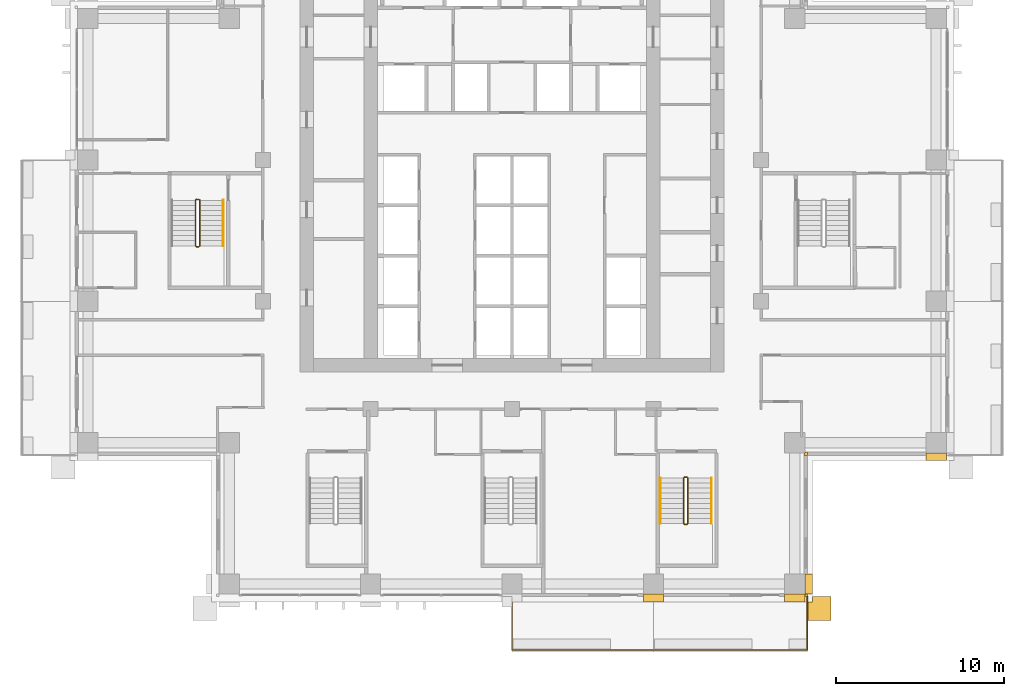
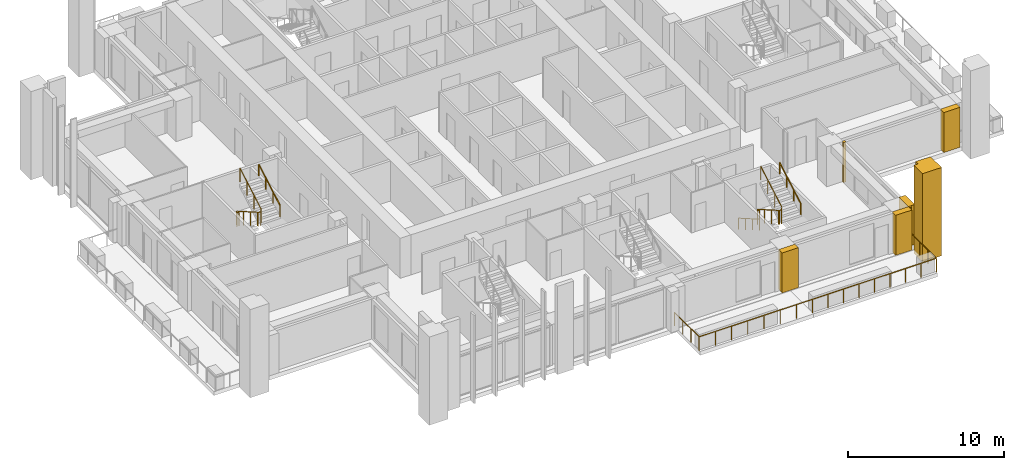
# One storey, part 16 of 19: 7 coverings, 7 railings.
"""IFC4 building model written with IfcOpenShell, lengths in metres."""

from ifc_helpers import new_model, si_unit, direction, frame, origin, origin_2d, place, context, subcontext, project, spatial, polyline, rectangle, outline, extrude, material, type_object, element, save


model = new_model("IFC4")

# Units and contexts
model_context = context("Model", 3, precision=1e-05, world=origin(), true_north=direction((0.0, 1.0)))
body_context = subcontext(model_context, "Body", "Model", "MODEL_VIEW")
ifc_project = project(units=[si_unit("LENGTHUNIT", "METRE"), si_unit("AREAUNIT", "SQUARE_METRE"), si_unit("VOLUMEUNIT", "CUBIC_METRE"), si_unit("PLANEANGLEUNIT", "RADIAN"), si_unit("MASSUNIT", "GRAM", prefix="KILO")], contexts=[model_context])

# Site, building, storey
site_placement = place(None, origin())
site = spatial("IfcSite", under=ifc_project, at=site_placement, CompositionType="ELEMENT")
building_placement = place(site_placement, origin())
building = spatial("IfcBuilding", under=site, at=building_placement, Name="Vermilion Ogive Tower", CompositionType="ELEMENT")
storey_placement = place(building_placement, frame((0.0, 0.0, 104.550048828125)))
storey = spatial("IfcBuildingStorey", under=building, at=storey_placement, Name="L26", CompositionType="ELEMENT", Elevation=104.550048828125)

# Railings
ifc_material_1 = material(Name="Stainless steel and glass", Category="steel")
railing_type_1 = type_object("IfcRailingType", Name="Balcony guard", PredefinedType="GUARDRAIL", material=ifc_material_1)
railing_1_placement = place(storey_placement, frame((0.0, -21.75, -0.0400390625)))
element("IfcRailing", 1, at=railing_1_placement, inside=storey, type_object=railing_type_1, Name="Guard S03", PredefinedType="GUARDRAIL", context=body_context, shape_type="SweptSolid", body=[
    extrude(rectangle(XDim=0.048095703125, YDim=0.048095703125, at=origin_2d()), frame((0.0, 0.0, 1.076171875), z_axis=(0.0, -1.0, 0.0), x_axis=(1.0, 0.0, 0.0)), (0.0, 0.0, 1.0), 3.159912109375),
    extrude(rectangle(XDim=0.048095703125, YDim=0.048095703125, at=origin_2d()), frame((0.0, -3.159912109375, 1.076171875), z_axis=(1.0, 0.0, 0.0), x_axis=(0.0, 1.0, 0.0)), (0.0, 0.0, 1.0), 8.39990234375),
    extrude(rectangle(XDim=0.0419921875, YDim=0.0419921875, at=origin_2d()), origin(), (0.0, 0.0, 1.0), 1.052001953125),
    extrude(rectangle(XDim=0.0419921875, YDim=0.0419921875, at=origin_2d()), frame((0.0, -1.05322265625, 0.0)), (0.0, 0.0, 1.0), 1.052001953125),
    extrude(rectangle(XDim=0.0419921875, YDim=0.0419921875, at=origin_2d()), frame((0.0, -2.106689453125, 0.0)), (0.0, 0.0, 1.0), 1.052001953125),
    extrude(rectangle(XDim=0.0419921875, YDim=0.0419921875, at=origin_2d()), frame((0.0, -3.159912109375, 0.0)), (0.0, 0.0, 1.0), 1.052001953125),
    extrude(rectangle(XDim=0.0419921875, YDim=0.0419921875, at=origin_2d()), frame((1.199951171875, -3.159912109375, 0.0)), (0.0, 0.0, 1.0), 1.052001953125),
    extrude(rectangle(XDim=0.0419921875, YDim=0.0419921875, at=origin_2d()), frame((2.39990234375, -3.159912109375, 0.0)), (0.0, 0.0, 1.0), 1.052001953125),
    extrude(rectangle(XDim=0.0419921875, YDim=0.0419921875, at=origin_2d()), frame((3.599853515625, -3.159912109375, 0.0)), (0.0, 0.0, 1.0), 1.052001953125),
    extrude(rectangle(XDim=0.0419921875, YDim=0.0419921875, at=origin_2d()), frame((4.800048828125, -3.159912109375, 0.0)), (0.0, 0.0, 1.0), 1.052001953125),
    extrude(rectangle(XDim=0.0419921875, YDim=0.0419921875, at=origin_2d()), frame((6.0, -3.159912109375, 0.0)), (0.0, 0.0, 1.0), 1.052001953125),
    extrude(rectangle(XDim=0.0419921875, YDim=0.0419921875, at=origin_2d()), frame((7.199951171875, -3.159912109375, 0.0)), (0.0, 0.0, 1.0), 1.052001953125),
    extrude(rectangle(XDim=0.0419921875, YDim=0.0419921875, at=origin_2d()), frame((8.39990234375, -3.159912109375, 0.0)), (0.0, 0.0, 1.0), 1.052001953125),
])
railing_2_placement = place(storey_placement, frame((8.39990234375, -24.909912109375, -0.0400390625)))
element("IfcRailing", 2, at=railing_2_placement, inside=storey, type_object=railing_type_1, Name="Guard S04", PredefinedType="GUARDRAIL", context=body_context, shape_type="SweptSolid", body=[
    extrude(rectangle(XDim=0.048095703125, YDim=0.048095703125, at=origin_2d()), frame((0.0, 0.0, 1.076171875), z_axis=(1.0, 0.0, 0.0), x_axis=(0.0, 1.0, 0.0)), (0.0, 0.0, 1.0), 9.150146484375),
    extrude(rectangle(XDim=0.048095703125, YDim=0.048095703125, at=origin_2d()), frame((9.150146484375, 0.0, 1.076171875), z_axis=(0.0, 1.0, 0.0), x_axis=(-1.0, 0.0, 0.0)), (0.0, 0.0, 1.0), 3.159912109375),
    extrude(rectangle(XDim=0.0419921875, YDim=0.0419921875, at=origin_2d()), origin(), (0.0, 0.0, 1.0), 1.052001953125),
    extrude(rectangle(XDim=0.0419921875, YDim=0.0419921875, at=origin_2d()), frame((1.143798828125, 0.0, 0.0)), (0.0, 0.0, 1.0), 1.052001953125),
    extrude(rectangle(XDim=0.0419921875, YDim=0.0419921875, at=origin_2d()), frame((2.28759765625, 0.0, 0.0)), (0.0, 0.0, 1.0), 1.052001953125),
    extrude(rectangle(XDim=0.0419921875, YDim=0.0419921875, at=origin_2d()), frame((3.431396484375, 0.0, 0.0)), (0.0, 0.0, 1.0), 1.052001953125),
    extrude(rectangle(XDim=0.0419921875, YDim=0.0419921875, at=origin_2d()), frame((4.5751953125, 0.0, 0.0)), (0.0, 0.0, 1.0), 1.052001953125),
    extrude(rectangle(XDim=0.0419921875, YDim=0.0419921875, at=origin_2d()), frame((5.71875, 0.0, 0.0)), (0.0, 0.0, 1.0), 1.052001953125),
    extrude(rectangle(XDim=0.0419921875, YDim=0.0419921875, at=origin_2d()), frame((6.862548828125, 0.0, 0.0)), (0.0, 0.0, 1.0), 1.052001953125),
    extrude(rectangle(XDim=0.0419921875, YDim=0.0419921875, at=origin_2d()), frame((8.00634765625, 0.0, 0.0)), (0.0, 0.0, 1.0), 1.052001953125),
    extrude(rectangle(XDim=0.0419921875, YDim=0.0419921875, at=origin_2d()), frame((9.150146484375, 0.0, 0.0)), (0.0, 0.0, 1.0), 1.052001953125),
    extrude(rectangle(XDim=0.0419921875, YDim=0.0419921875, at=origin_2d()), frame((9.150146484375, 1.05322265625, 0.0)), (0.0, 0.0, 1.0), 1.052001953125),
    extrude(rectangle(XDim=0.0419921875, YDim=0.0419921875, at=origin_2d()), frame((9.150146484375, 2.106689453125, 0.0)), (0.0, 0.0, 1.0), 1.052001953125),
    extrude(rectangle(XDim=0.0419921875, YDim=0.0419921875, at=origin_2d()), frame((9.150146484375, 3.159912109375, 0.0)), (0.0, 0.0, 1.0), 1.052001953125),
])
ifc_material_2 = material(Name="Steel S355 painted", Category="steel")
railing_type_2 = type_object("IfcRailingType", Name="Stair guard 1100", PredefinedType="GUARDRAIL", material=ifc_material_2)
railing_3_placement = place(storey_placement, frame((10.39990234375, -14.64990234375, 0.0)))
element("IfcRailing", 3, at=railing_3_placement, inside=storey, type_object=railing_type_2, Name="L26 ST5 stair guard 4", PredefinedType="GUARDRAIL", context=body_context, shape_type="SweptSolid", body=[
    extrude(rectangle(XDim=0.048095703125, YDim=0.048095703125, at=origin_2d()), frame((0.0, 0.0, 1.076171875), z_axis=(-1.0, 0.0, 0.0), x_axis=(0.0, -1.0, 0.0)), (0.0, 0.0, 1.0), 0.14990234375),
    extrude(rectangle(XDim=0.048095703125, YDim=0.048095703125, at=origin_2d()), frame((-0.14990234375, 0.0, 1.076171875), z_axis=(-0.268603158521, -0.268603158521, 0.925043072762), x_axis=(0.707106781187, -0.707106781187, 0.0)), (0.0, 0.0, 1.0), 0.186279296875),
    extrude(rectangle(XDim=0.048095703125, YDim=0.048095703125, at=origin_2d()), frame((-0.199951171875, -0.050048828125, 1.24853515625), z_axis=(0.0, -0.866903762492, 0.498475542607), x_axis=(1.0, 0.0, 0.0)), (0.0, 0.0, 1.0), 3.114501953125),
    extrude(rectangle(XDim=0.048095703125, YDim=0.048095703125, at=origin_2d()), frame((-0.199951171875, -2.75, 2.80078125), z_axis=(0.707106781187, -0.707106781187, 0.0), x_axis=(0.707106781187, 0.707106781187, 0.0)), (0.0, 0.0, 1.0), 0.07080078125),
    extrude(rectangle(XDim=0.048095703125, YDim=0.048095703125, at=origin_2d()), frame((-0.14990234375, -2.800048828125, 2.80078125), z_axis=(1.0, 0.0, 0.0), x_axis=(0.0, 1.0, 0.0)), (0.0, 0.0, 1.0), 0.14990234375),
    extrude(rectangle(XDim=0.048095703125, YDim=0.048095703125, at=origin_2d()), frame((0.0, -2.800048828125, 2.80078125), z_axis=(0.268277960024, 0.268277960024, 0.925231793839), x_axis=(-0.707106781187, 0.707106781187, 0.0)), (0.0, 0.0, 1.0), 0.1865234375),
    extrude(rectangle(XDim=0.048095703125, YDim=0.048095703125, at=origin_2d()), frame((0.050048828125, -2.75, 2.9736328125), z_axis=(0.0, 0.866903762492, 0.498475542607), x_axis=(-1.0, 0.0, 0.0)), (0.0, 0.0, 1.0), 3.114501953125),
    extrude(rectangle(XDim=0.0419921875, YDim=0.0419921875, at=origin_2d()), origin(), (0.0, 0.0, 1.0), 1.052001953125),
    extrude(rectangle(XDim=0.0419921875, YDim=0.0419921875, at=origin_2d()), frame((-0.14990234375, 0.0, 0.0)), (0.0, 0.0, 1.0), 1.052001953125),
    extrude(rectangle(XDim=0.0419921875, YDim=0.0419921875, at=origin_2d()), frame((-0.199951171875, -0.050048828125, 0.17236328125)), (0.0, 0.0, 1.0), 1.052001953125),
    extrude(rectangle(XDim=0.0419921875, YDim=0.0419921875, at=origin_2d()), frame((-0.199951171875, -0.949951171875, 0.68994140625)), (0.0, 0.0, 1.0), 1.052001953125),
    extrude(rectangle(XDim=0.0419921875, YDim=0.0419921875, at=origin_2d()), frame((-0.199951171875, -1.85009765625, 1.207275390625)), (0.0, 0.0, 1.0), 1.052001953125),
    extrude(rectangle(XDim=0.0419921875, YDim=0.0419921875, at=origin_2d()), frame((-0.199951171875, -2.75, 1.724853515625)), (0.0, 0.0, 1.0), 1.052001953125),
    extrude(rectangle(XDim=0.0419921875, YDim=0.0419921875, at=origin_2d()), frame((-0.14990234375, -2.800048828125, 1.724853515625)), (0.0, 0.0, 1.0), 1.052001953125),
    extrude(rectangle(XDim=0.0419921875, YDim=0.0419921875, at=origin_2d()), frame((0.0, -2.800048828125, 1.724853515625)), (0.0, 0.0, 1.0), 1.052001953125),
    extrude(rectangle(XDim=0.0419921875, YDim=0.0419921875, at=origin_2d()), frame((0.050048828125, -2.75, 1.8974609375)), (0.0, 0.0, 1.0), 1.052001953125),
    extrude(rectangle(XDim=0.0419921875, YDim=0.0419921875, at=origin_2d()), frame((0.050048828125, -1.85009765625, 2.4150390625)), (0.0, 0.0, 1.0), 1.052001953125),
    extrude(rectangle(XDim=0.0419921875, YDim=0.0419921875, at=origin_2d()), frame((0.050048828125, -0.949951171875, 2.932373046875)), (0.0, 0.0, 1.0), 1.052001953125),
    extrude(rectangle(XDim=0.0419921875, YDim=0.0419921875, at=origin_2d()), frame((0.050048828125, -0.050048828125, 3.449951171875)), (0.0, 0.0, 1.0), 1.052001953125),
])
railing_4_placement = place(storey_placement, frame((-18.60009765625, 1.85009765625, 0.0)))
element("IfcRailing", 4, at=railing_4_placement, inside=storey, type_object=railing_type_2, Name="L26 ST9 stair guard 4", PredefinedType="GUARDRAIL", context=body_context, shape_type="SweptSolid", body=[
    extrude(rectangle(XDim=0.048095703125, YDim=0.048095703125, at=origin_2d()), frame((0.0, 0.0, 1.076171875), z_axis=(-1.0, 0.0, 0.0), x_axis=(0.0, -1.0, 0.0)), (0.0, 0.0, 1.0), 0.14990234375),
    extrude(rectangle(XDim=0.048095703125, YDim=0.048095703125, at=origin_2d()), frame((-0.14990234375, 0.0, 1.076171875), z_axis=(-0.268603158521, -0.268603158521, 0.925043072762), x_axis=(0.707106781187, -0.707106781187, 0.0)), (0.0, 0.0, 1.0), 0.186279296875),
    extrude(rectangle(XDim=0.048095703125, YDim=0.048095703125, at=origin_2d()), frame((-0.199951171875, -0.050048828125, 1.24853515625), z_axis=(0.0, -0.866903762492, 0.498475542607), x_axis=(1.0, 0.0, 0.0)), (0.0, 0.0, 1.0), 3.114501953125),
    extrude(rectangle(XDim=0.048095703125, YDim=0.048095703125, at=origin_2d()), frame((-0.199951171875, -2.75, 2.80078125), z_axis=(0.707106781187, -0.707106781187, 0.0), x_axis=(0.707106781187, 0.707106781187, 0.0)), (0.0, 0.0, 1.0), 0.07080078125),
    extrude(rectangle(XDim=0.048095703125, YDim=0.048095703125, at=origin_2d()), frame((-0.14990234375, -2.800048828125, 2.80078125), z_axis=(1.0, 0.0, 0.0), x_axis=(0.0, 1.0, 0.0)), (0.0, 0.0, 1.0), 0.14990234375),
    extrude(rectangle(XDim=0.048095703125, YDim=0.048095703125, at=origin_2d()), frame((0.0, -2.800048828125, 2.80078125), z_axis=(0.268277960024, 0.268277960024, 0.925231793839), x_axis=(-0.707106781187, 0.707106781187, 0.0)), (0.0, 0.0, 1.0), 0.1865234375),
    extrude(rectangle(XDim=0.048095703125, YDim=0.048095703125, at=origin_2d()), frame((0.050048828125, -2.75, 2.9736328125), z_axis=(0.0, 0.866903762492, 0.498475542607), x_axis=(-1.0, 0.0, 0.0)), (0.0, 0.0, 1.0), 3.114501953125),
    extrude(rectangle(XDim=0.0419921875, YDim=0.0419921875, at=origin_2d()), origin(), (0.0, 0.0, 1.0), 1.052001953125),
    extrude(rectangle(XDim=0.0419921875, YDim=0.0419921875, at=origin_2d()), frame((-0.14990234375, 0.0, 0.0)), (0.0, 0.0, 1.0), 1.052001953125),
    extrude(rectangle(XDim=0.0419921875, YDim=0.0419921875, at=origin_2d()), frame((-0.199951171875, -0.050048828125, 0.17236328125)), (0.0, 0.0, 1.0), 1.052001953125),
    extrude(rectangle(XDim=0.0419921875, YDim=0.0419921875, at=origin_2d()), frame((-0.199951171875, -0.949951171875, 0.68994140625)), (0.0, 0.0, 1.0), 1.052001953125),
    extrude(rectangle(XDim=0.0419921875, YDim=0.0419921875, at=origin_2d()), frame((-0.199951171875, -1.85009765625, 1.207275390625)), (0.0, 0.0, 1.0), 1.052001953125),
    extrude(rectangle(XDim=0.0419921875, YDim=0.0419921875, at=origin_2d()), frame((-0.199951171875, -2.75, 1.724853515625)), (0.0, 0.0, 1.0), 1.052001953125),
    extrude(rectangle(XDim=0.0419921875, YDim=0.0419921875, at=origin_2d()), frame((-0.14990234375, -2.800048828125, 1.724853515625)), (0.0, 0.0, 1.0), 1.052001953125),
    extrude(rectangle(XDim=0.0419921875, YDim=0.0419921875, at=origin_2d()), frame((0.0, -2.800048828125, 1.724853515625)), (0.0, 0.0, 1.0), 1.052001953125),
    extrude(rectangle(XDim=0.0419921875, YDim=0.0419921875, at=origin_2d()), frame((0.050048828125, -2.75, 1.8974609375)), (0.0, 0.0, 1.0), 1.052001953125),
    extrude(rectangle(XDim=0.0419921875, YDim=0.0419921875, at=origin_2d()), frame((0.050048828125, -1.85009765625, 2.4150390625)), (0.0, 0.0, 1.0), 1.052001953125),
    extrude(rectangle(XDim=0.0419921875, YDim=0.0419921875, at=origin_2d()), frame((0.050048828125, -0.949951171875, 2.932373046875)), (0.0, 0.0, 1.0), 1.052001953125),
    extrude(rectangle(XDim=0.0419921875, YDim=0.0419921875, at=origin_2d()), frame((0.050048828125, -0.050048828125, 3.449951171875)), (0.0, 0.0, 1.0), 1.052001953125),
])
ifc_material_3 = material(Name="Stainless steel", Category="steel")
railing_type_3 = type_object("IfcRailingType", Name="Stair handrail 900", PredefinedType="HANDRAIL", material=ifc_material_3)
railing_5_placement = place(storey_placement, frame((8.800048828125, -14.699951171875, 0.17236328125)))
element("IfcRailing", 5, at=railing_5_placement, inside=storey, type_object=railing_type_3, Name="L26 ST5 stair handrail 1", PredefinedType="HANDRAIL", context=body_context, shape_type="SweptSolid", body=[
    extrude(rectangle(XDim=0.048095703125, YDim=0.048095703125, at=origin_2d()), frame((0.0, 0.0, 0.8759765625), z_axis=(0.0, -0.866903762492, 0.498475542607), x_axis=(1.0, 0.0, 0.0)), (0.0, 0.0, 1.0), 3.114501953125),
    extrude(rectangle(XDim=0.0419921875, YDim=0.0419921875, at=origin_2d()), origin(), (0.0, 0.0, 1.0), 0.851806640625),
    extrude(rectangle(XDim=0.0419921875, YDim=0.0419921875, at=origin_2d()), frame((0.0, -0.89990234375, 0.517578125)), (0.0, 0.0, 1.0), 0.851806640625),
    extrude(rectangle(XDim=0.0419921875, YDim=0.0419921875, at=origin_2d()), frame((0.0, -1.800048828125, 1.034912109375)), (0.0, 0.0, 1.0), 0.851806640625),
    extrude(rectangle(XDim=0.0419921875, YDim=0.0419921875, at=origin_2d()), frame((0.0, -2.699951171875, 1.552490234375)), (0.0, 0.0, 1.0), 0.851806640625),
])
for number, where, name in (
    (6, (11.85009765625, -17.39990234375, 1.8974609375), "L26 ST5 stair handrail 2"),
    (7, (-17.14990234375, -0.89990234375, 1.8974609375), "L26 ST9 stair handrail 2"),
):
    element("IfcRailing", number, at=place(storey_placement, frame(where)), inside=storey, type_object=railing_type_3, Name=name, PredefinedType="HANDRAIL", context=body_context, shape_type="SweptSolid", body=[
        extrude(rectangle(XDim=0.048095703125, YDim=0.048095703125, at=origin_2d()), frame((0.0, 0.0, 0.8759765625), z_axis=(0.0, 0.866903762492, 0.498475542607), x_axis=(-1.0, 0.0, 0.0)), (0.0, 0.0, 1.0), 3.114501953125),
        extrude(rectangle(XDim=0.0419921875, YDim=0.0419921875, at=origin_2d()), origin(), (0.0, 0.0, 1.0), 0.851806640625),
        extrude(rectangle(XDim=0.0419921875, YDim=0.0419921875, at=origin_2d()), frame((0.0, 0.89990234375, 0.517578125)), (0.0, 0.0, 1.0), 0.851806640625),
        extrude(rectangle(XDim=0.0419921875, YDim=0.0419921875, at=origin_2d()), frame((0.0, 1.800048828125, 1.034912109375)), (0.0, 0.0, 1.0), 0.851806640625),
        extrude(rectangle(XDim=0.0419921875, YDim=0.0419921875, at=origin_2d()), frame((0.0, 2.699951171875, 1.552490234375)), (0.0, 0.0, 1.0), 0.851806640625),
    ])

# Coverings
ifc_material_4 = material(Name="Stone cladding", Category="masonry")
covering_type_1 = type_object("IfcCoveringType", Name="Stone corner buttress", PredefinedType="CLADDING", material=ifc_material_4)
covering_1_placement = place(storey_placement, frame((0.0, 0.0, -0.320068359375)))
element("IfcCovering", 8, at=covering_1_placement, inside=storey, type_object=covering_type_1, Name="Stone corner buttress X11", PredefinedType="CLADDING", context=body_context, shape_type="SweptSolid", body=[
    extrude(outline(polyline([(17.550048828125, -23.14990234375), (17.550048828125, -22.050048828125), (17.85009765625, -22.050048828125), (17.85009765625, -21.75), (18.949951171875, -21.75), (18.949951171875, -23.14990234375), (17.550048828125, -23.14990234375)])), origin(), (0.0, 0.0, 1.0), 6.89990234375),
])
ifc_material_5 = material(Name="Stone cladding", Category="masonry")
covering_type_2 = type_object("IfcCoveringType", Name="Stone pier", PredefinedType="CLADDING", material=ifc_material_5)
covering_2_placement = place(storey_placement, origin())
element("IfcCovering", 9, at=covering_2_placement, inside=storey, type_object=covering_type_2, Name="Stone corner pier SE1", PredefinedType="CLADDING", context=body_context, shape_type="SweptSolid", body=[
    extrude(outline(polyline([(17.39990234375, -21.75), (17.39990234375, -21.60009765625), (17.39990234375, -21.60009765625), (17.550048828125, -21.60009765625), (17.550048828125, -21.75), (17.39990234375, -21.75)])), origin(), (0.0, 0.0, 1.0), 3.1298828125),
])
covering_3_placement = place(storey_placement, origin())
element("IfcCovering", 10, at=covering_3_placement, inside=storey, type_object=covering_type_2, Name="Stone corner pier X1E1", PredefinedType="CLADDING", context=body_context, shape_type="SweptSolid", body=[
    extrude(outline(polyline([(17.35009765625, -13.199951171875), (17.39990234375, -13.199951171875), (17.39990234375, -13.14990234375), (17.550048828125, -13.14990234375), (17.550048828125, -13.35009765625), (17.35009765625, -13.35009765625), (17.35009765625, -13.199951171875)])), origin(), (0.0, 0.0, 1.0), 3.1298828125),
])
covering_4_placement = place(storey_placement, origin())
element("IfcCovering", 11, at=covering_4_placement, inside=storey, type_object=covering_type_2, Name="Stone pier P+0084-210", PredefinedType="CLADDING", context=body_context, shape_type="SweptSolid", body=[
    extrude(outline(polyline([(9.0, -21.60009765625), (9.0, -22.050048828125), (7.800048828125, -22.050048828125), (7.800048828125, -21.60009765625), (9.0, -21.60009765625), (9.0, -21.60009765625)])), origin(), (0.0, 0.0, 1.0), 3.1298828125),
])
covering_5_placement = place(storey_placement, origin())
element("IfcCovering", 12, at=covering_5_placement, inside=storey, type_object=covering_type_2, Name="Stone pier P+0168-210S", PredefinedType="CLADDING", context=body_context, shape_type="SweptSolid", body=[
    extrude(outline(polyline([(17.39990234375, -22.050048828125), (16.199951171875, -22.050048828125), (16.199951171875, -21.60009765625), (17.39990234375, -21.60009765625), (17.39990234375, -22.050048828125)])), origin(), (0.0, 0.0, 1.0), 3.1298828125),
])
covering_6_placement = place(storey_placement, origin())
element("IfcCovering", 13, at=covering_6_placement, inside=storey, type_object=covering_type_2, Name="Stone pier P+0168-210X1", PredefinedType="CLADDING", context=body_context, shape_type="SweptSolid", body=[
    extrude(outline(polyline([(17.85009765625, -21.60009765625), (17.39990234375, -21.60009765625), (17.39990234375, -20.39990234375), (17.85009765625, -20.39990234375), (17.85009765625, -21.60009765625)])), origin(), (0.0, 0.0, 1.0), 3.1298828125),
])
covering_7_placement = place(storey_placement, origin())
element("IfcCovering", 14, at=covering_7_placement, inside=storey, type_object=covering_type_2, Name="Stone pier P+0252-126X2", PredefinedType="CLADDING", context=body_context, shape_type="SweptSolid", body=[
    extrude(outline(polyline([(25.800048828125, -13.199951171875), (25.800048828125, -13.64990234375), (24.60009765625, -13.64990234375), (24.60009765625, -13.199951171875), (24.60009765625, -13.199951171875), (25.800048828125, -13.199951171875)])), origin(), (0.0, 0.0, 1.0), 3.1298828125),
])

save(model, "model.ifc")
